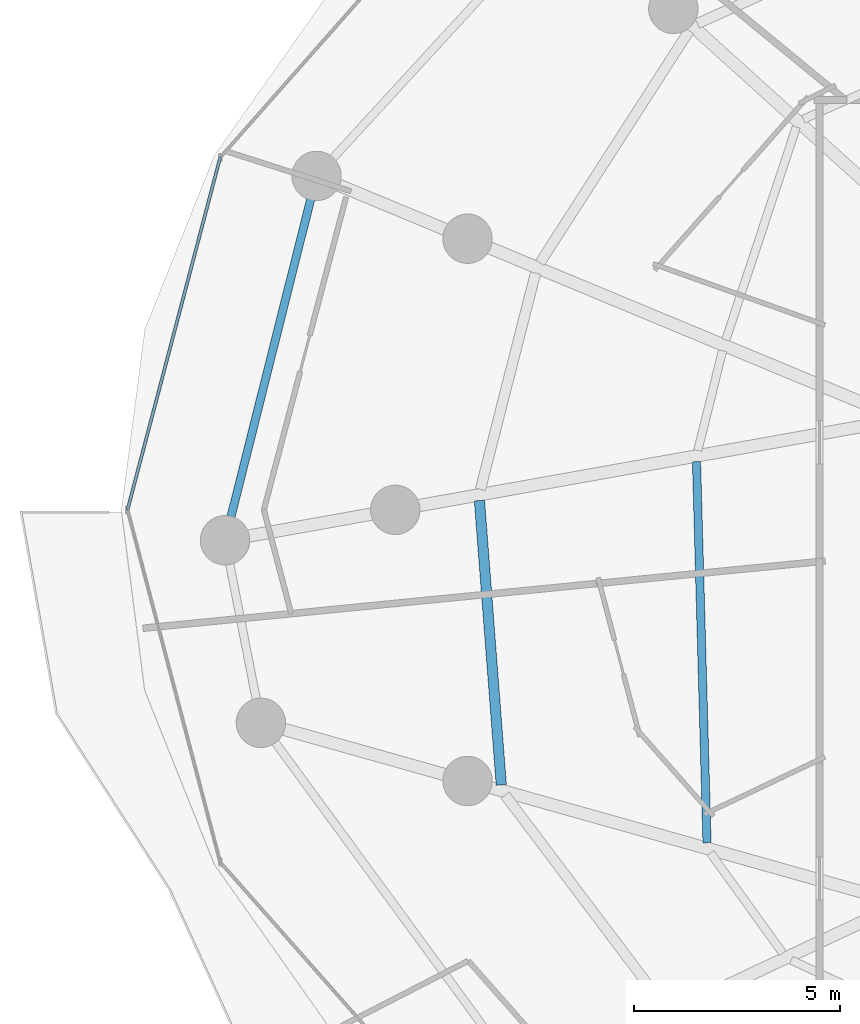
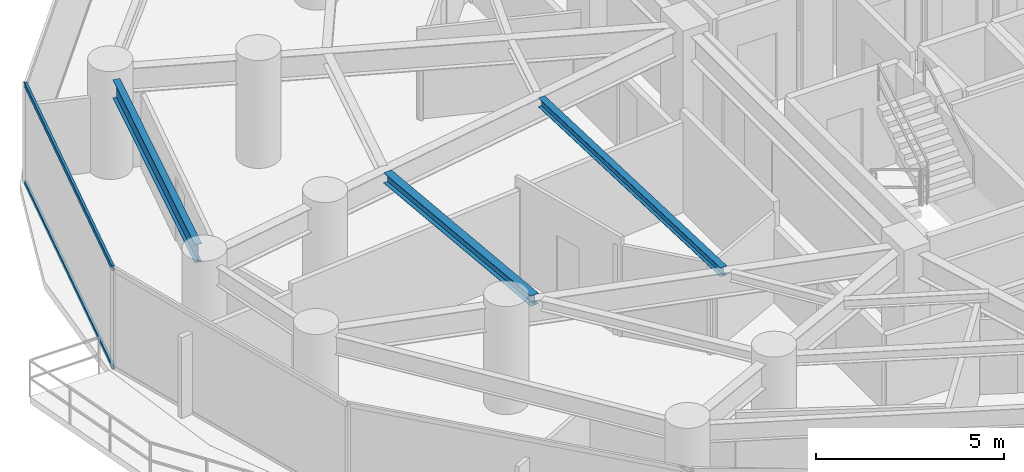
# One storey, part 8 of 33: 3 beams, 2 members, 1 element without a shape of its own.
"""IFC4 building model written with IfcOpenShell, lengths in metres."""

from ifc_helpers import new_model, si_unit, direction, frame, origin, origin_2d, place, context, subcontext, project, spatial, hollow_rectangle, i_section, extrude, material, material_profile, profile_set, type_object, element, aggregate, save


model = new_model("IFC4")

# Units and contexts
model_context = context("Model", 3, precision=1e-05, world=origin(), true_north=direction((0.0, 1.0)))
body_context = subcontext(model_context, "Body", "Model", "MODEL_VIEW")
ifc_project = project(units=[si_unit("LENGTHUNIT", "METRE"), si_unit("AREAUNIT", "SQUARE_METRE"), si_unit("VOLUMEUNIT", "CUBIC_METRE"), si_unit("PLANEANGLEUNIT", "RADIAN"), si_unit("MASSUNIT", "GRAM", prefix="KILO")], contexts=[model_context])

# Site, building, storey
site_placement = place(None, origin())
site = spatial("IfcSite", under=ifc_project, at=site_placement, CompositionType="ELEMENT")
building_placement = place(site_placement, origin())
building = spatial("IfcBuilding", under=site, at=building_placement, Name="Vorneva Point Tower", CompositionType="ELEMENT")
storey_placement = place(building_placement, frame((0.0, 0.0, 59.0)))
storey = spatial("IfcBuildingStorey", under=building, at=storey_placement, Name="L15", CompositionType="ELEMENT", Elevation=59.0)

# Beams
ifc_material_1 = material(Name="Steel S355", Category="steel")
ifc_material_profile_1 = material_profile(ifc_material_1, i_section(OverallWidth=0.199951171875, OverallDepth=0.291015625, WebThickness=0.008056640625, FlangeThickness=0.010986328125, at=origin_2d()), Name="30Sh1")
ifc_profile_set_1 = profile_set([ifc_material_profile_1], Name="Steel S355")
beam_type_1 = type_object("IfcBeamType", Name="BM-SEC-30Sh1", PredefinedType="BEAM", material=ifc_profile_set_1)
beam_1_placement = place(storey_placement, frame((22.263427734375, 27.16943359375, 3.094482421875), z_axis=(0.027541538291, -0.999620659885, 0.0), x_axis=(0.999620659885, 0.027541538291, 0.0)))
element("IfcBeam", 1, at=beam_1_placement, inside=storey, type_object=beam_type_1, Name="L15 Secondary Floor Beam 2.09", PredefinedType="BEAM", context=body_context, shape_type="SweptSolid", body=[
    extrude(i_section(OverallWidth=0.199951171875, OverallDepth=0.291015625, WebThickness=0.008056640625, FlangeThickness=0.010986328125, at=origin_2d()), origin(), (0.0, 0.0, 1.0), 9.25439453125),
])
ifc_material_profile_2 = material_profile(ifc_material_1, i_section(OverallWidth=0.2490234375, OverallDepth=0.333984375, WebThickness=0.008056640625, FlangeThickness=0.010986328125, at=origin_2d()), Name="35Sh1")
ifc_profile_set_2 = profile_set([ifc_material_profile_2], Name="Steel S355")
beam_type_2 = type_object("IfcBeamType", Name="BM-SEC-35Sh1", PredefinedType="BEAM", material=ifc_profile_set_2)
beam_2_placement = place(storey_placement, frame((16.993896484375, 26.22607421875, 3.072998046875), z_axis=(0.076577869425, -0.997063603746, 0.0), x_axis=(0.997063603746, 0.076577869425, 0.0)))
element("IfcBeam", 2, at=beam_2_placement, inside=storey, type_object=beam_type_2, Name="L15 Secondary Floor Beam 1.09", PredefinedType="BEAM", context=body_context, shape_type="SweptSolid", body=[
    extrude(i_section(OverallWidth=0.2490234375, OverallDepth=0.333984375, WebThickness=0.008056640625, FlangeThickness=0.010986328125, at=origin_2d()), origin(), (0.0, 0.0, 1.0), 6.924560546875),
])
ifc_material_profile_3 = material_profile(ifc_material_1, i_section(OverallWidth=0.198974609375, OverallDepth=0.595947265625, WebThickness=0.010009765625, FlangeThickness=0.014892578125, at=origin_2d()), Name="60B1")
ifc_profile_set_3 = profile_set([ifc_material_profile_3], Name="Steel S355")
beam_type_3 = type_object("IfcBeamType", Name="BM-SPN-60B1", PredefinedType="SPANDREL", material=ifc_profile_set_3)
beam_3_placement = place(storey_placement, frame((12.896484375, 33.5380859375, 2.94189453125), z_axis=(-0.243554441672, -0.969887227435, 0.0), x_axis=(0.969887227435, -0.243554441672, 0.0)))
element("IfcBeam", 3, at=beam_3_placement, inside=storey, type_object=beam_type_3, Name="L15 Perimeter Spandrel Ring Beam 08", PredefinedType="SPANDREL", context=body_context, shape_type="SweptSolid", body=[
    extrude(i_section(OverallWidth=0.198974609375, OverallDepth=0.595947265625, WebThickness=0.010009765625, FlangeThickness=0.014892578125, at=origin_2d()), origin(), (0.0, 0.0, 1.0), 7.948974609375),
])

# Curtain wall, members
ifc_material_2 = material(Name="Pale anodised aluminium", Category="aluminium")
curtain_wall_type = type_object("IfcCurtainWallType", Name="CW-HTL-SYS", PredefinedType="NOTDEFINED", material=ifc_material_2)
curtain_wall_placement = place(storey_placement, origin())
curtain_wall = element("IfcCurtainWall", 4, at=curtain_wall_placement, inside=storey, type_object=curtain_wall_type, Name="L15 Unitised Curtain Wall CW-L15-R03", PredefinedType="NOTDEFINED")
ifc_material_profile_4 = material_profile(ifc_material_2, hollow_rectangle(XDim=0.074951171875, YDim=0.14990234375, WallThickness=0.00390625, at=origin_2d()), Name="AL-TRN 150x75x4")
ifc_profile_set_4 = profile_set([ifc_material_profile_4], Name="Pale anodised aluminium")
member_type = type_object("IfcMemberType", Name="CW-TRN-150", PredefinedType="USERDEFINED", material=ifc_profile_set_4)
member_1_placement = place(storey_placement, frame((10.699462890625, 34.552978515625, 0.02001953125), z_axis=(-0.254358772746, -0.967109928978, 0.0), x_axis=(0.967109928978, -0.254358772746, 0.0)))
member_1 = element("IfcMember", 5, at=member_1_placement, type_object=member_type, Name="CW-L15-R03 Transom 02.1", ObjectType="TRANSOM", PredefinedType="USERDEFINED", context=body_context, shape_type="SweptSolid", body=[
    extrude(hollow_rectangle(XDim=0.074951171875, YDim=0.14990234375, WallThickness=0.00390625, at=origin_2d()), origin(), (0.0, 0.0, 1.0), 8.84375),
])
member_2_placement = place(storey_placement, frame((10.699462890625, 34.552978515625, 3.219970703125), z_axis=(-0.254358772746, -0.967109928978, 0.0), x_axis=(0.967109928978, -0.254358772746, 0.0)))
member_2 = element("IfcMember", 6, at=member_2_placement, type_object=member_type, Name="CW-L15-R03 Transom 02.2", ObjectType="TRANSOM", PredefinedType="USERDEFINED", context=body_context, shape_type="SweptSolid", body=[
    extrude(hollow_rectangle(XDim=0.074951171875, YDim=0.14990234375, WallThickness=0.00390625, at=origin_2d()), origin(), (0.0, 0.0, 1.0), 8.84375),
])
aggregate(curtain_wall, [member_1, member_2])

save(model, "model.ifc")
